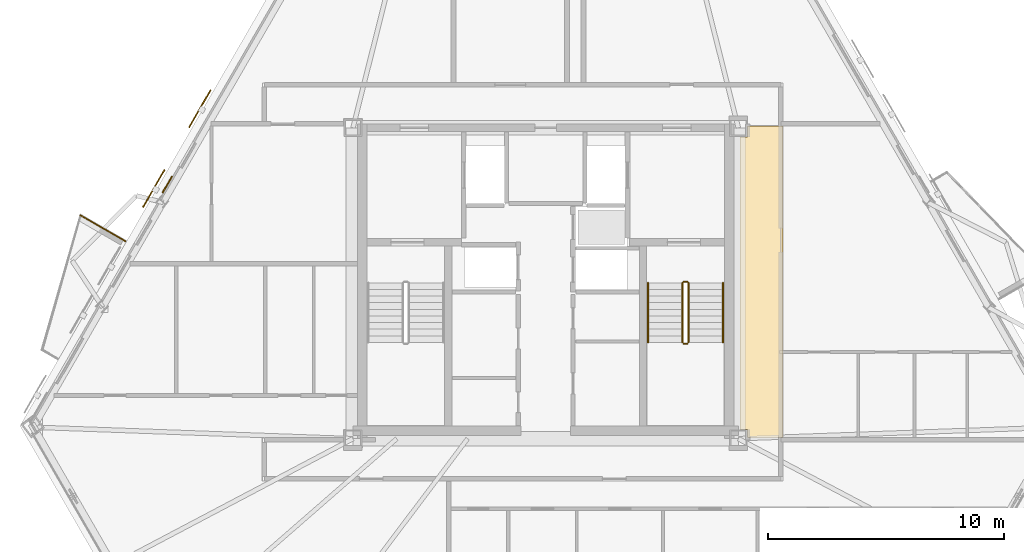
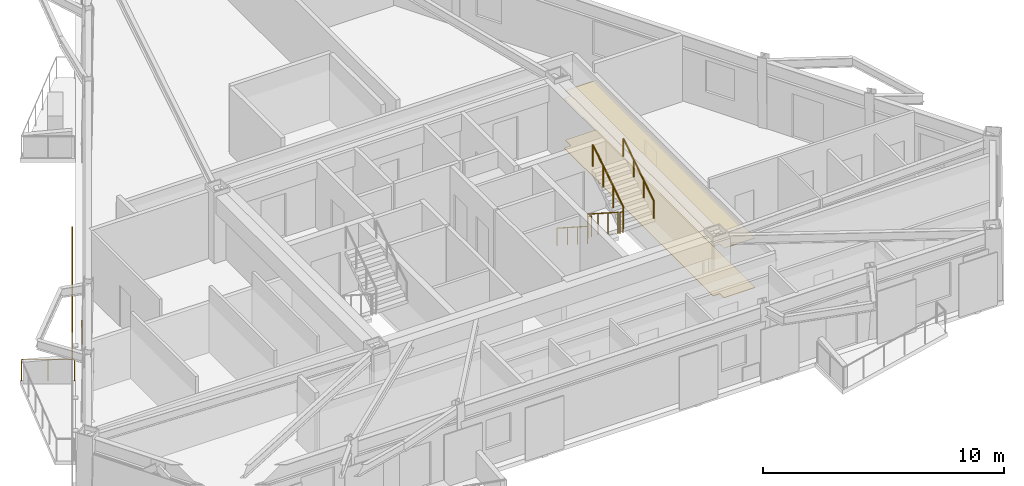
# One storey, part 9 of 11: 7 railings, 3 coverings, 2 shading devices.
"""IFC4 building model written with IfcOpenShell, lengths in metres."""

from ifc_helpers import new_model, si_unit, direction, frame, origin, origin_2d, place, context, subcontext, project, spatial, polyline, rectangle, circle, outline, extrude, material, layer, layer_set, type_object, element, save


model = new_model("IFC4")

# Units and contexts
model_context = context("Model", 3, precision=1e-05, world=origin(), true_north=direction((0.0, 1.0)))
body_context = subcontext(model_context, "Body", "Model", "MODEL_VIEW")
ifc_project = project(units=[si_unit("LENGTHUNIT", "METRE"), si_unit("AREAUNIT", "SQUARE_METRE"), si_unit("VOLUMEUNIT", "CUBIC_METRE"), si_unit("PLANEANGLEUNIT", "RADIAN"), si_unit("MASSUNIT", "GRAM", prefix="KILO")], contexts=[model_context])

# Site, building, storey
site_placement = place(None, origin())
site = spatial("IfcSite", under=ifc_project, at=site_placement, CompositionType="ELEMENT")
building_placement = place(site_placement, origin())
building = spatial("IfcBuilding", under=site, at=building_placement, Name="Oramaril Tower", CompositionType="ELEMENT")
storey_placement = place(building_placement, frame((0.0, 0.0, 212.699951171875)))
storey = spatial("IfcBuildingStorey", under=building, at=storey_placement, Name="L56", CompositionType="ELEMENT", Elevation=212.699951171875)

# Coverings
ifc_material_1 = material(Name="Mineral Fibre Acoustic Ceiling")
ifc_layer_1 = layer(ifc_material_1, 0.02001953125)
ifc_layer_set_1 = layer_set([ifc_layer_1], Name="CVT-CEIL")
covering_type_1 = type_object("IfcCoveringType", Name="CVT-CEIL", PredefinedType="CEILING", material=ifc_layer_set_1)
covering_1_placement = place(storey_placement, frame((0.0, 0.0, 2.511962890625)))
element("IfcCovering", 1, at=covering_1_placement, inside=storey, type_object=covering_type_1, Name="L56 Acoustic Suspended Ceiling 3", PredefinedType="CEILING", context=body_context, shape_type="SweptSolid", body=[
    extrude(outline(polyline([(47.530029296875, 11.050048828125), (46.044921875, 11.050048828125), (46.044921875, 11.39501953125), (45.719970703125, 11.39501953125), (45.719970703125, 23.7548828125), (46.044921875, 23.7548828125), (46.044921875, 24.219970703125), (47.530029296875, 24.219970703125), (47.530029296875, 11.050048828125)])), origin(), (0.0, 0.0, 1.0), 0.02001953125),
])
ifc_material_2 = material(Name="Warm Cream Limestone", Category="masonry")
ifc_layer_2 = layer(ifc_material_2, 0.050048828125)
ifc_layer_set_2 = layer_set([ifc_layer_2], Name="CVT-CLD")
covering_type_2 = type_object("IfcCoveringType", Name="CVT-CLD", PredefinedType="CLADDING", material=ifc_layer_set_2)
covering_2_placement = place(storey_placement, frame((21.4970703125, 21.748291015625, 0.0400390625), z_axis=(0.0, 0.0, 1.0), x_axis=(-0.4999984885, -0.866026276448, 0.0)))
element("IfcCovering", 2, at=covering_2_placement, inside=storey, type_object=covering_type_2, Name="L56 Warm Cream Limestone Spandrel Cladding", PredefinedType="CLADDING", context=body_context, shape_type="SweptSolid", body=[
    extrude(rectangle(XDim=0.800048828125, YDim=0.050048828125, at=origin_2d()), origin(), (0.0, 0.0, 1.0), 0.679931640625),
])
ifc_material_3 = material(Name="Honed Quartzite Stone Flooring", Category="masonry")
ifc_layer_3 = layer(ifc_material_3, 0.02490234375)
ifc_layer_set_3 = layer_set([ifc_layer_3], Name="CVT-FLR")
covering_type_3 = type_object("IfcCoveringType", Name="CVT-FLR", PredefinedType="FLOORING", material=ifc_layer_set_3)
covering_3_placement = place(storey_placement, origin())
element("IfcCovering", 3, at=covering_3_placement, inside=storey, type_object=covering_type_3, Name="L56 Honed Stone Floor Finish 3", PredefinedType="FLOORING", context=body_context, shape_type="SweptSolid", body=[
    extrude(outline(polyline([(47.530029296875, 11.050048828125), (46.044921875, 11.050048828125), (46.044921875, 11.39501953125), (45.719970703125, 11.39501953125), (45.719970703125, 23.7548828125), (46.044921875, 23.7548828125), (46.044921875, 24.219970703125), (47.530029296875, 24.219970703125), (47.530029296875, 11.050048828125)])), origin(), (0.0, 0.0, 1.0), 0.025146484375),
])

# Railings
ifc_material_4 = material(Name="Stainless Steel 316L", Category="steel")
railing_type_1 = type_object("IfcRailingType", Name="RLT-GRD", PredefinedType="GUARDRAIL", material=ifc_material_4)
railing_1_placement = place(storey_placement, frame((17.82275390625, 20.4482421875, 0.0)))
element("IfcRailing", 4, at=railing_1_placement, inside=storey, type_object=railing_type_1, Name="L56 Balcony Guardrail L56-BAL-NW2.3", PredefinedType="GUARDRAIL", context=body_context, shape_type="SweptSolid", body=[
    extrude(circle(Radius=0.02392578125, at=origin_2d()), frame((0.0, 0.0, 1.076171875), z_axis=(0.866020500697, -0.5000084923, 0.0), x_axis=(0.5000084923, 0.866020500697, 0.0)), (0.0, 0.0, 1.0), 2.19189453125),
    extrude(circle(Radius=0.02099609375, at=origin_2d()), origin(), (0.0, 0.0, 1.0), 1.052001953125),
    extrude(circle(Radius=0.02099609375, at=origin_2d()), frame((0.94921875, -0.5478515625, 0.0)), (0.0, 0.0, 1.0), 1.052001953125),
    extrude(circle(Radius=0.02099609375, at=origin_2d()), frame((1.898193359375, -1.095947265625, 0.0)), (0.0, 0.0, 1.0), 1.052001953125),
])
railing_2_placement = place(storey_placement, frame((43.2900390625, 17.590087890625, 0.179931640625)))
element("IfcRailing", 5, at=railing_2_placement, inside=storey, type_object=railing_type_1, Name="L56 ST-2 stair guard 1", PredefinedType="GUARDRAIL", context=body_context, shape_type="SweptSolid", body=[
    extrude(circle(Radius=0.02392578125, at=origin_2d()), frame((0.0, 0.0, 1.076171875), z_axis=(0.0, -0.841162588446, 0.540782303519), x_axis=(1.0, 0.0, 0.0)), (0.0, 0.0, 1.0), 2.995849609375),
    extrude(circle(Radius=0.02099609375, at=origin_2d()), origin(), (0.0, 0.0, 1.0), 1.052001953125),
    extrude(circle(Radius=0.02099609375, at=origin_2d()), frame((0.0, -0.840087890625, 0.5400390625)), (0.0, 0.0, 1.0), 1.052001953125),
    extrude(circle(Radius=0.02099609375, at=origin_2d()), frame((0.0, -1.679931640625, 1.080078125)), (0.0, 0.0, 1.0), 1.052001953125),
    extrude(circle(Radius=0.02099609375, at=origin_2d()), frame((0.0, -2.52001953125, 1.6201171875)), (0.0, 0.0, 1.0), 1.052001953125),
])
railing_3_placement = place(storey_placement, frame((43.340087890625, 15.02001953125, 1.800048828125)))
element("IfcRailing", 6, at=railing_3_placement, inside=storey, type_object=railing_type_1, Name="L56 ST-2 stair guard 2", PredefinedType="GUARDRAIL", context=body_context, shape_type="SweptSolid", body=[
    extrude(circle(Radius=0.02392578125, at=origin_2d()), frame((0.0, 0.0, 1.076171875), z_axis=(1.0, 0.0, 0.0), x_axis=(0.0, 1.0, 0.0)), (0.0, 0.0, 1.0), 0.14990234375),
    extrude(circle(Radius=0.02099609375, at=origin_2d()), origin(), (0.0, 0.0, 1.0), 1.052001953125),
    extrude(circle(Radius=0.02099609375, at=origin_2d()), frame((0.14990234375, 0.0, 0.0)), (0.0, 0.0, 1.0), 1.052001953125),
])
railing_4_placement = place(storey_placement, frame((43.5400390625, 15.070068359375, 1.97998046875)))
element("IfcRailing", 7, at=railing_4_placement, inside=storey, type_object=railing_type_1, Name="L56 ST-2 stair guard 3", PredefinedType="GUARDRAIL", context=body_context, shape_type="SweptSolid", body=[
    extrude(circle(Radius=0.02392578125, at=origin_2d()), frame((0.0, 0.0, 1.076171875), z_axis=(0.0, 0.841162588446, 0.540782303519), x_axis=(-1.0, 0.0, 0.0)), (0.0, 0.0, 1.0), 2.995849609375),
    extrude(circle(Radius=0.02099609375, at=origin_2d()), origin(), (0.0, 0.0, 1.0), 1.052001953125),
    extrude(circle(Radius=0.02099609375, at=origin_2d()), frame((0.0, 0.840087890625, 0.5400390625)), (0.0, 0.0, 1.0), 1.052001953125),
    extrude(circle(Radius=0.02099609375, at=origin_2d()), frame((0.0, 1.679931640625, 1.080078125)), (0.0, 0.0, 1.0), 1.052001953125),
    extrude(circle(Radius=0.02099609375, at=origin_2d()), frame((0.0, 2.52001953125, 1.6201171875)), (0.0, 0.0, 1.0), 1.052001953125),
])
railing_5_placement = place(storey_placement, frame((43.340087890625, 17.639892578125, 0.0)))
element("IfcRailing", 8, at=railing_5_placement, inside=storey, type_object=railing_type_1, Name="L56 ST-2 stair guard 4", PredefinedType="GUARDRAIL", context=body_context, shape_type="SweptSolid", body=[
    extrude(circle(Radius=0.02392578125, at=origin_2d()), frame((0.0, 0.0, 1.076171875), z_axis=(1.0, 0.0, 0.0), x_axis=(0.0, 1.0, 0.0)), (0.0, 0.0, 1.0), 0.14990234375),
    extrude(circle(Radius=0.02099609375, at=origin_2d()), origin(), (0.0, 0.0, 1.0), 1.052001953125),
    extrude(circle(Radius=0.02099609375, at=origin_2d()), frame((0.14990234375, 0.0, 0.0)), (0.0, 0.0, 1.0), 1.052001953125),
])
ifc_material_5 = material(Name="Stainless Steel 316L", Category="steel")
railing_type_2 = type_object("IfcRailingType", Name="RLT-HND", PredefinedType="HANDRAIL", material=ifc_material_5)
railing_6_placement = place(storey_placement, frame((41.830078125, 17.590087890625, 0.179931640625)))
element("IfcRailing", 9, at=railing_6_placement, inside=storey, type_object=railing_type_2, Name="L56 ST-2 stair handrail 1", PredefinedType="HANDRAIL", context=body_context, shape_type="SweptSolid", body=[
    extrude(circle(Radius=0.02392578125, at=origin_2d()), frame((0.0, 0.0, 0.8759765625), z_axis=(0.0, -0.841162588446, 0.540782303519), x_axis=(1.0, 0.0, 0.0)), (0.0, 0.0, 1.0), 2.995849609375),
    extrude(circle(Radius=0.02099609375, at=origin_2d()), origin(), (0.0, 0.0, 1.0), 0.851806640625),
    extrude(circle(Radius=0.02099609375, at=origin_2d()), frame((0.0, -0.840087890625, 0.5400390625)), (0.0, 0.0, 1.0), 0.851806640625),
    extrude(circle(Radius=0.02099609375, at=origin_2d()), frame((0.0, -1.679931640625, 1.080078125)), (0.0, 0.0, 1.0), 0.851806640625),
    extrude(circle(Radius=0.02099609375, at=origin_2d()), frame((0.0, -2.52001953125, 1.6201171875)), (0.0, 0.0, 1.0), 0.851806640625),
])
railing_7_placement = place(storey_placement, frame((45.0, 15.070068359375, 1.97998046875)))
element("IfcRailing", 10, at=railing_7_placement, inside=storey, type_object=railing_type_2, Name="L56 ST-2 stair handrail 2", PredefinedType="HANDRAIL", context=body_context, shape_type="SweptSolid", body=[
    extrude(circle(Radius=0.02392578125, at=origin_2d()), frame((0.0, 0.0, 0.8759765625), z_axis=(0.0, 0.841162588446, 0.540782303519), x_axis=(-1.0, 0.0, 0.0)), (0.0, 0.0, 1.0), 2.995849609375),
    extrude(circle(Radius=0.02099609375, at=origin_2d()), origin(), (0.0, 0.0, 1.0), 0.851806640625),
    extrude(circle(Radius=0.02099609375, at=origin_2d()), frame((0.0, 0.840087890625, 0.5400390625)), (0.0, 0.0, 1.0), 0.851806640625),
    extrude(circle(Radius=0.02099609375, at=origin_2d()), frame((0.0, 1.679931640625, 1.080078125)), (0.0, 0.0, 1.0), 0.851806640625),
    extrude(circle(Radius=0.02099609375, at=origin_2d()), frame((0.0, 2.52001953125, 1.6201171875)), (0.0, 0.0, 1.0), 0.851806640625),
])

# Shading devices
for number, where, z_axis, x_axis, name in (
    (11, (22.875244140625, 24.95947265625, -0.02001953125), (0.0, 0.0, 1.0), (-0.4999984885, -0.866026276448, 0.0), "L56 Perforated Ceramic Solar Screen"),
    (12, (20.92529296875, 21.581787109375, -0.02001953125), (0.0, 0.0, 1.0), (-0.4999984885, -0.866026276448, 0.0), "L56 Perforated Ceramic Solar Screen"),
):
    element("IfcShadingDevice", number, at=place(storey_placement, frame(where, z_axis=z_axis, x_axis=x_axis)), inside=storey, Name=name, ObjectType="SCREEN", PredefinedType="USERDEFINED", context=body_context, shape_type="SweptSolid", body=[
        extrude(rectangle(XDim=1.8330078125, YDim=0.050048828125, at=origin_2d()), origin(), (0.0, 0.0, 1.0), 2.677001953125),
    ])

save(model, "model.ifc")
